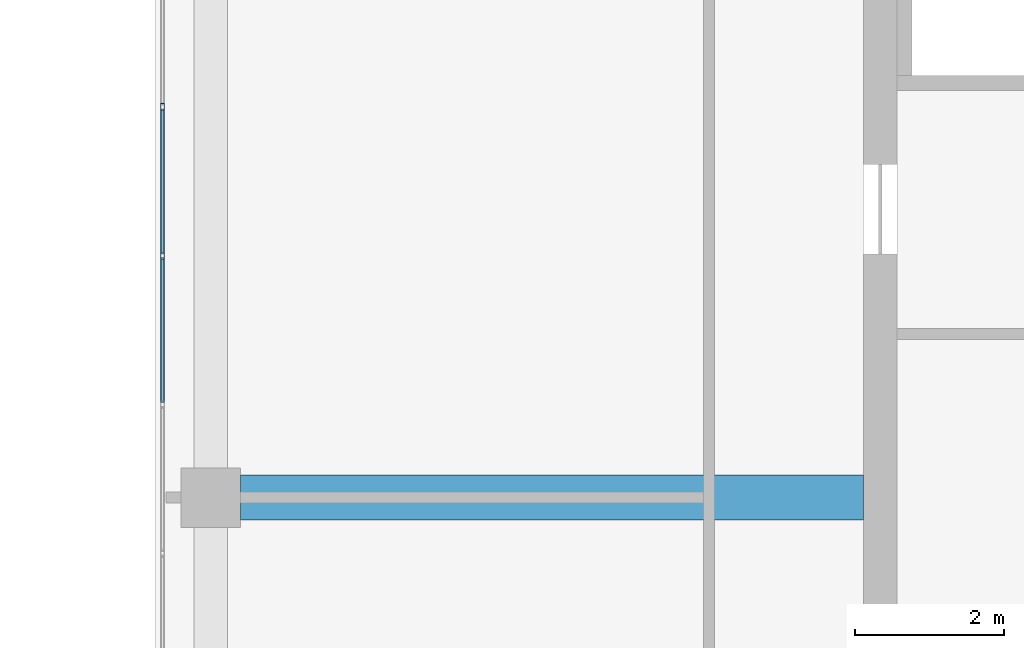
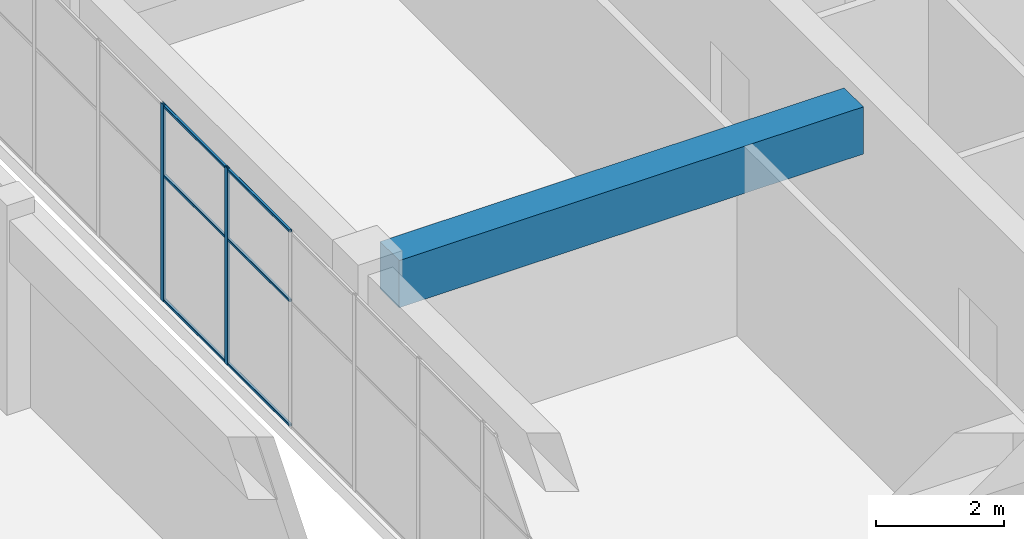
# One storey, part 26 of 65: 8 members, 1 beam, 1 element without a shape of its own.
"""IFC4 building model written with IfcOpenShell, lengths in metres."""

from ifc_helpers import new_model, si_unit, direction, frame, origin, origin_2d, place, context, subcontext, project, spatial, rectangle, hollow_rectangle, extrude, material, layer, layer_set, material_profile, profile_set, type_object, element, aggregate, save


model = new_model("IFC4")

# Units and contexts
model_context = context("Model", 3, precision=1e-05, world=origin(), true_north=direction((0.0, 1.0)))
body_context = subcontext(model_context, "Body", "Model", "MODEL_VIEW")
ifc_project = project(units=[si_unit("LENGTHUNIT", "METRE"), si_unit("AREAUNIT", "SQUARE_METRE"), si_unit("VOLUMEUNIT", "CUBIC_METRE"), si_unit("PLANEANGLEUNIT", "RADIAN"), si_unit("MASSUNIT", "GRAM", prefix="KILO")], contexts=[model_context])

# Site, building, storey
site_placement = place(None, origin())
site = spatial("IfcSite", under=ifc_project, at=site_placement, CompositionType="ELEMENT")
building_placement = place(site_placement, origin())
building = spatial("IfcBuilding", under=site, at=building_placement, Name="Tuart Plaza Theatre", CompositionType="ELEMENT")
storey_placement = place(building_placement, frame((0.0, 0.0, 9.5)))
storey = spatial("IfcBuildingStorey", under=building, at=storey_placement, Name="L02", CompositionType="ELEMENT", Elevation=9.5)

# Beam
ifc_material_1 = material(Name="Concrete N40 (40 MPa)", Category="concrete")
ifc_material_profile_1 = material_profile(ifc_material_1, rectangle(XDim=0.60009765625, YDim=0.89990234375, at=origin_2d()), Name="BEAM 600x900 Concrete N40 (40 MPa)")
ifc_profile_set_1 = profile_set([ifc_material_profile_1], Name="Concrete N40 (40 MPa)")
beam_type = type_object("IfcBeamType", Name="BEAM 600x900 Concrete N40 (40 MPa)", PredefinedType="BEAM", material=ifc_profile_set_1)
beam_placement = place(storey_placement, frame((114.39990234375, 74.0, 3.300048828125), z_axis=(1.0, 0.0, 0.0), x_axis=(0.0, 1.0, 0.0)))
element("IfcBeam", 1, at=beam_placement, inside=storey, type_object=beam_type, Name="RB167", PredefinedType="BEAM", context=body_context, shape_type="SweptSolid", body=[
    extrude(rectangle(XDim=0.60009765625, YDim=0.89990234375, at=origin_2d()), origin(), (0.0, 0.0, 1.0), 8.375),
])

# Curtain wall, members
ifc_material_2 = material(Name="Aluminium and glass", Category="aluminium")
ifc_layer = layer(ifc_material_2, 0.10009765625)
ifc_layer_set = layer_set([ifc_layer], Name="CURTAIN WALL 2000 module")
curtain_wall_type = type_object("IfcCurtainWallType", Name="CURTAIN WALL 2000 module", PredefinedType="NOTDEFINED", material=ifc_layer_set)
curtain_wall_placement = place(storey_placement, origin())
curtain_wall = element("IfcCurtainWall", 2, at=curtain_wall_placement, inside=storey, type_object=curtain_wall_type, Name="CW73", PredefinedType="NOTDEFINED")
ifc_material_3 = material(Name="Aluminium 6063-T5", Category="aluminium")
ifc_material_profile_2 = material_profile(ifc_material_3, hollow_rectangle(XDim=0.050048828125, YDim=0.10009765625, WallThickness=0.00390625, InnerFilletRadius=0.00390625, OuterFilletRadius=0.008056640625, at=origin_2d()), Name="RHS 100x50x4")
ifc_profile_set_2 = profile_set([ifc_material_profile_2], Name="Aluminium 6063-T5")
member_type_1 = type_object("IfcMemberType", Name="MULLION RHS 100x50x4", PredefinedType="MULLION", material=ifc_profile_set_2)
member_1_placement = place(storey_placement, frame((113.35009765625, 79.25, 0.0), z_axis=(0.0, 0.0, 1.0), x_axis=(1.0, 0.0, 0.0)))
member_1 = element("IfcMember", 3, at=member_1_placement, type_object=member_type_1, Name="CW73 mullion 10", PredefinedType="MULLION", context=body_context, shape_type="SweptSolid", body=[
    extrude(hollow_rectangle(XDim=0.050048828125, YDim=0.10009765625, WallThickness=0.00390625, InnerFilletRadius=0.00390625, OuterFilletRadius=0.008056640625, at=origin_2d()), origin(), (0.0, 0.0, 1.0), 3.75),
])
member_2_placement = place(storey_placement, frame((113.35009765625, 77.25, 0.0), z_axis=(0.0, 0.0, 1.0), x_axis=(1.0, 0.0, 0.0)))
member_2 = element("IfcMember", 4, at=member_2_placement, type_object=member_type_1, Name="CW73 mullion 11", PredefinedType="MULLION", context=body_context, shape_type="SweptSolid", body=[
    extrude(hollow_rectangle(XDim=0.050048828125, YDim=0.10009765625, WallThickness=0.00390625, InnerFilletRadius=0.00390625, OuterFilletRadius=0.008056640625, at=origin_2d()), origin(), (0.0, 0.0, 1.0), 3.75),
])
ifc_material_4 = material(Name="Aluminium 6063-T5", Category="aluminium")
ifc_material_profile_3 = material_profile(ifc_material_4, hollow_rectangle(XDim=0.050048828125, YDim=0.050048828125, WallThickness=0.00390625, InnerFilletRadius=0.00390625, OuterFilletRadius=0.008056640625, at=origin_2d()), Name="RHS 50x50x4")
ifc_profile_set_3 = profile_set([ifc_material_profile_3], Name="Aluminium 6063-T5")
member_type_2 = type_object("IfcMemberType", Name="TRANSOM RHS 50x50x4", PredefinedType="USERDEFINED", material=ifc_profile_set_3)
member_3_placement = place(storey_placement, frame((113.35009765625, 79.22509765625, 0.02490234375), z_axis=(0.0, -1.0, 0.0), x_axis=(1.0, 0.0, 0.0)))
member_3 = element("IfcMember", 5, at=member_3_placement, type_object=member_type_2, Name="CW73 transom 10.1", ObjectType="TRANSOM", PredefinedType="USERDEFINED", context=body_context, shape_type="SweptSolid", body=[
    extrude(hollow_rectangle(XDim=0.050048828125, YDim=0.050048828125, WallThickness=0.00390625, InnerFilletRadius=0.00390625, OuterFilletRadius=0.008056640625, at=origin_2d()), origin(), (0.0, 0.0, 1.0), 1.9501953125),
])
member_4_placement = place(storey_placement, frame((113.35009765625, 79.22509765625, 2.39990234375), z_axis=(0.0, -1.0, 0.0), x_axis=(1.0, 0.0, 0.0)))
member_4 = element("IfcMember", 6, at=member_4_placement, type_object=member_type_2, Name="CW73 transom 10.2", ObjectType="TRANSOM", PredefinedType="USERDEFINED", context=body_context, shape_type="SweptSolid", body=[
    extrude(hollow_rectangle(XDim=0.050048828125, YDim=0.050048828125, WallThickness=0.00390625, InnerFilletRadius=0.00390625, OuterFilletRadius=0.008056640625, at=origin_2d()), origin(), (0.0, 0.0, 1.0), 1.9501953125),
])
member_5_placement = place(storey_placement, frame((113.35009765625, 79.22509765625, 3.72509765625), z_axis=(0.0, -1.0, 0.0), x_axis=(1.0, 0.0, 0.0)))
member_5 = element("IfcMember", 7, at=member_5_placement, type_object=member_type_2, Name="CW73 transom 10.3", ObjectType="TRANSOM", PredefinedType="USERDEFINED", context=body_context, shape_type="SweptSolid", body=[
    extrude(hollow_rectangle(XDim=0.050048828125, YDim=0.050048828125, WallThickness=0.00390625, InnerFilletRadius=0.00390625, OuterFilletRadius=0.008056640625, at=origin_2d()), origin(), (0.0, 0.0, 1.0), 1.9501953125),
])
member_6_placement = place(storey_placement, frame((113.35009765625, 77.22509765625, 0.02490234375), z_axis=(0.0, -1.0, 0.0), x_axis=(1.0, 0.0, 0.0)))
member_6 = element("IfcMember", 8, at=member_6_placement, type_object=member_type_2, Name="CW73 transom 11.1", ObjectType="TRANSOM", PredefinedType="USERDEFINED", context=body_context, shape_type="SweptSolid", body=[
    extrude(hollow_rectangle(XDim=0.050048828125, YDim=0.050048828125, WallThickness=0.00390625, InnerFilletRadius=0.00390625, OuterFilletRadius=0.008056640625, at=origin_2d()), origin(), (0.0, 0.0, 1.0), 1.9501953125),
])
member_7_placement = place(storey_placement, frame((113.35009765625, 77.22509765625, 2.39990234375), z_axis=(0.0, -1.0, 0.0), x_axis=(1.0, 0.0, 0.0)))
member_7 = element("IfcMember", 9, at=member_7_placement, type_object=member_type_2, Name="CW73 transom 11.2", ObjectType="TRANSOM", PredefinedType="USERDEFINED", context=body_context, shape_type="SweptSolid", body=[
    extrude(hollow_rectangle(XDim=0.050048828125, YDim=0.050048828125, WallThickness=0.00390625, InnerFilletRadius=0.00390625, OuterFilletRadius=0.008056640625, at=origin_2d()), origin(), (0.0, 0.0, 1.0), 1.9501953125),
])
member_8_placement = place(storey_placement, frame((113.35009765625, 77.22509765625, 3.72509765625), z_axis=(0.0, -1.0, 0.0), x_axis=(1.0, 0.0, 0.0)))
member_8 = element("IfcMember", 10, at=member_8_placement, type_object=member_type_2, Name="CW73 transom 11.3", ObjectType="TRANSOM", PredefinedType="USERDEFINED", context=body_context, shape_type="SweptSolid", body=[
    extrude(hollow_rectangle(XDim=0.050048828125, YDim=0.050048828125, WallThickness=0.00390625, InnerFilletRadius=0.00390625, OuterFilletRadius=0.008056640625, at=origin_2d()), origin(), (0.0, 0.0, 1.0), 1.9501953125),
])
aggregate(curtain_wall, [member_1, member_2, member_3, member_4, member_5, member_6, member_7, member_8])

save(model, "model.ifc")
